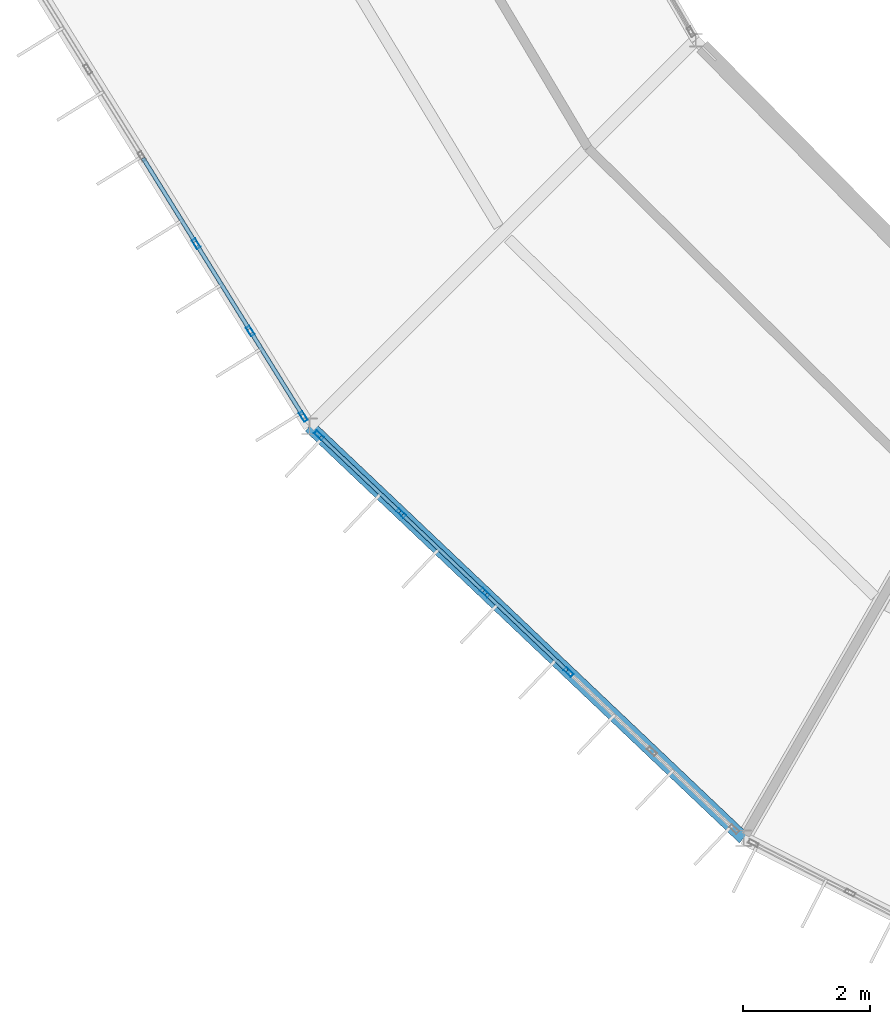
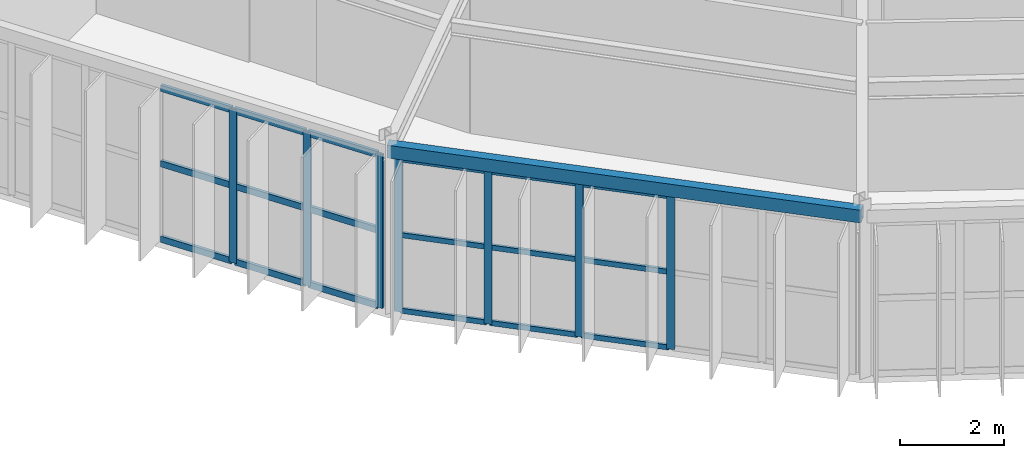
# One storey, part 33 of 157: 25 members, 1 beam, 2 elements without a shape of their own.
"""IFC4 building model written with IfcOpenShell, lengths in metres."""

from ifc_helpers import new_model, si_unit, direction, frame, origin, origin_2d, place, context, subcontext, project, spatial, hollow_rectangle, extrude, material, material_profile, profile_set, type_object, element, aggregate, save


model = new_model("IFC4")

# Units and contexts
model_context = context("Model", 3, precision=1e-05, world=origin(), true_north=direction((0.0, 1.0)))
body_context = subcontext(model_context, "Body", "Model", "MODEL_VIEW")
ifc_project = project(units=[si_unit("LENGTHUNIT", "METRE"), si_unit("AREAUNIT", "SQUARE_METRE"), si_unit("VOLUMEUNIT", "CUBIC_METRE"), si_unit("PLANEANGLEUNIT", "RADIAN"), si_unit("MASSUNIT", "GRAM", prefix="KILO")], contexts=[model_context])

# Site, building, storey
site_placement = place(None, origin())
site = spatial("IfcSite", under=ifc_project, at=site_placement, CompositionType="ELEMENT")
building_placement = place(site_placement, origin())
building = spatial("IfcBuilding", under=site, at=building_placement, Name="Karori Crest Natural Sciences Institute", CompositionType="ELEMENT")
storey_placement = place(building_placement, frame((0.0, 0.0, 13.300048828125)))
storey = spatial("IfcBuildingStorey", under=building, at=storey_placement, Name="L03", CompositionType="ELEMENT", Elevation=13.300048828125)

# Beam
ifc_material_1 = material(Name="Hollow structural steel AS/NZS 1163 Grade C350", Category="steel")
ifc_material_profile_1 = material_profile(ifc_material_1, hollow_rectangle(XDim=0.199951171875, YDim=0.300048828125, WallThickness=0.010009765625, at=origin_2d()), Name="RHS300x200x10")
ifc_profile_set_1 = profile_set([ifc_material_profile_1], Name="Hollow structural steel AS/NZS 1163 Grade C350")
beam_type = type_object("IfcBeamType", Name="BT-15", PredefinedType="SPANDREL", material=ifc_profile_set_1)
beam_placement = place(storey_placement, frame((43.0654296875, 21.050048828125, 3.7900390625), z_axis=(0.72546900706, -0.688254836376, 0.0), x_axis=(0.688254836376, 0.72546900706, 0.0)))
element("IfcBeam", 1, at=beam_placement, inside=storey, type_object=beam_type, Name="Beam B-0416", PredefinedType="SPANDREL", context=body_context, shape_type="SweptSolid", body=[
    extrude(hollow_rectangle(XDim=0.199951171875, YDim=0.300048828125, WallThickness=0.010009765625, at=origin_2d()), origin(), (0.0, 0.0, 1.0), 9.420654296875),
])

# Curtain wall, members
ifc_material_2 = material(Name="Anodised architectural aluminium 6063-T6", Category="aluminium")
curtain_wall_type_1 = type_object("IfcCurtainWallType", Name="CWT-05", PredefinedType="NOTDEFINED", material=ifc_material_2)
curtain_wall_1_placement = place(storey_placement, origin())
curtain_wall_1 = element("IfcCurtainWall", 2, at=curtain_wall_1_placement, inside=storey, type_object=curtain_wall_type_1, Name="Curtain wall CW-0121", PredefinedType="NOTDEFINED")
ifc_material_profile_2 = material_profile(ifc_material_2, hollow_rectangle(XDim=0.06494140625, YDim=0.159912109375, WallThickness=0.00390625, at=origin_2d()), Name="CWM160x65x4")
ifc_profile_set_2 = profile_set([ifc_material_profile_2], Name="Anodised architectural aluminium 6063-T6")
member_type_1 = type_object("IfcMemberType", Name="CWM-01", PredefinedType="MULLION", material=ifc_profile_set_2)
member_1_placement = place(storey_placement, frame((42.96875, 21.205810546875, 0.0), z_axis=(0.0, 0.0, 1.0), x_axis=(-0.849661985715, -0.527327706489, 0.0)))
member_1 = element("IfcMember", 3, at=member_1_placement, type_object=member_type_1, Name="CW-0121 mullion 1", PredefinedType="MULLION", context=body_context, shape_type="SweptSolid", body=[
    extrude(hollow_rectangle(XDim=0.06494140625, YDim=0.159912109375, WallThickness=0.00390625, at=origin_2d()), origin(), (0.0, 0.0, 1.0), 3.625),
])
member_2_placement = place(storey_placement, frame((42.13330078125, 22.552001953125, 0.0), z_axis=(0.0, 0.0, 1.0), x_axis=(-0.849661985715, -0.527327706489, 0.0)))
member_2 = element("IfcMember", 4, at=member_2_placement, type_object=member_type_1, Name="CW-0121 mullion 2", PredefinedType="MULLION", context=body_context, shape_type="SweptSolid", body=[
    extrude(hollow_rectangle(XDim=0.06494140625, YDim=0.159912109375, WallThickness=0.00390625, at=origin_2d()), origin(), (0.0, 0.0, 1.0), 3.625),
])
member_3_placement = place(storey_placement, frame((41.28076171875, 23.92578125, 0.0), z_axis=(0.0, 0.0, 1.0), x_axis=(-0.849661985715, -0.527327706489, 0.0)))
member_3 = element("IfcMember", 5, at=member_3_placement, type_object=member_type_1, Name="CW-0121 mullion 3", PredefinedType="MULLION", context=body_context, shape_type="SweptSolid", body=[
    extrude(hollow_rectangle(XDim=0.06494140625, YDim=0.159912109375, WallThickness=0.00390625, at=origin_2d()), origin(), (0.0, 0.0, 1.0), 3.625),
])

curtain_wall_type_2 = type_object("IfcCurtainWallType", Name="CWT-06", PredefinedType="NOTDEFINED", material=ifc_material_2)
curtain_wall_2_placement = place(storey_placement, origin())
curtain_wall_2 = element("IfcCurtainWall", 6, at=curtain_wall_2_placement, inside=storey, type_object=curtain_wall_type_2, Name="Curtain wall CW-0123", PredefinedType="NOTDEFINED")
member_4_placement = place(storey_placement, frame((47.141357421875, 17.18310546875, 0.0), z_axis=(0.0, 0.0, 1.0), x_axis=(-0.688252251648, -0.725471459192, 0.0)))
member_4 = element("IfcMember", 7, at=member_4_placement, type_object=member_type_1, Name="CW-0123 mullion 3", PredefinedType="MULLION", context=body_context, shape_type="SweptSolid", body=[
    extrude(hollow_rectangle(XDim=0.06494140625, YDim=0.159912109375, WallThickness=0.00390625, at=origin_2d()), origin(), (0.0, 0.0, 1.0), 3.625),
])
member_5_placement = place(storey_placement, frame((45.824951171875, 18.43212890625, 0.0), z_axis=(0.0, 0.0, 1.0), x_axis=(-0.688252251648, -0.725471459192, 0.0)))
member_5 = element("IfcMember", 8, at=member_5_placement, type_object=member_type_1, Name="CW-0123 mullion 4", PredefinedType="MULLION", context=body_context, shape_type="SweptSolid", body=[
    extrude(hollow_rectangle(XDim=0.06494140625, YDim=0.159912109375, WallThickness=0.00390625, at=origin_2d()), origin(), (0.0, 0.0, 1.0), 3.625),
])
member_6_placement = place(storey_placement, frame((44.508544921875, 19.68115234375, 0.0), z_axis=(0.0, 0.0, 1.0), x_axis=(-0.688252251648, -0.725471459192, 0.0)))
member_6 = element("IfcMember", 9, at=member_6_placement, type_object=member_type_1, Name="CW-0123 mullion 5", PredefinedType="MULLION", context=body_context, shape_type="SweptSolid", body=[
    extrude(hollow_rectangle(XDim=0.06494140625, YDim=0.159912109375, WallThickness=0.00390625, at=origin_2d()), origin(), (0.0, 0.0, 1.0), 3.625),
])
member_7_placement = place(storey_placement, frame((43.215576171875, 20.90771484375, 0.0), z_axis=(0.0, 0.0, 1.0), x_axis=(-0.688252251648, -0.725471459192, 0.0)))
member_7 = element("IfcMember", 10, at=member_7_placement, type_object=member_type_1, Name="CW-0123 mullion 6", PredefinedType="MULLION", context=body_context, shape_type="SweptSolid", body=[
    extrude(hollow_rectangle(XDim=0.06494140625, YDim=0.159912109375, WallThickness=0.00390625, at=origin_2d()), origin(), (0.0, 0.0, 1.0), 3.625),
])
ifc_material_profile_3 = material_profile(ifc_material_2, hollow_rectangle(XDim=0.06005859375, YDim=0.1201171875, WallThickness=0.00390625, at=origin_2d()), Name="CWT120x60x4")
ifc_profile_set_3 = profile_set([ifc_material_profile_3], Name="Anodised architectural aluminium 6063-T6")
member_type_2 = type_object("IfcMemberType", Name="CWT-TR1", PredefinedType="USERDEFINED", material=ifc_profile_set_3)
member_8_placement = place(storey_placement, frame((47.117919921875, 17.20556640625, 0.030029296875), z_axis=(-0.725490496247, 0.688232184553, 0.0), x_axis=(-0.688232184553, -0.725490496247, 0.0)))
member_8 = element("IfcMember", 11, at=member_8_placement, type_object=member_type_2, Name="CW-0123 transom 3.1", ObjectType="TRANSOM", PredefinedType="USERDEFINED", context=body_context, shape_type="SweptSolid", body=[
    extrude(hollow_rectangle(XDim=0.06005859375, YDim=0.1201171875, WallThickness=0.00390625, at=origin_2d()), origin(), (0.0, 0.0, 1.0), 1.74951171875),
])
member_9_placement = place(storey_placement, frame((47.117919921875, 17.20556640625, 1.8125), z_axis=(-0.725490496247, 0.688232184553, 0.0), x_axis=(-0.688232184553, -0.725490496247, 0.0)))
member_9 = element("IfcMember", 12, at=member_9_placement, type_object=member_type_2, Name="CW-0123 transom 3.2", ObjectType="TRANSOM", PredefinedType="USERDEFINED", context=body_context, shape_type="SweptSolid", body=[
    extrude(hollow_rectangle(XDim=0.06005859375, YDim=0.1201171875, WallThickness=0.00390625, at=origin_2d()), origin(), (0.0, 0.0, 1.0), 1.74951171875),
])
member_10_placement = place(storey_placement, frame((47.117919921875, 17.20556640625, 3.594970703125), z_axis=(-0.725490496247, 0.688232184553, 0.0), x_axis=(-0.688232184553, -0.725490496247, 0.0)))
member_10 = element("IfcMember", 13, at=member_10_placement, type_object=member_type_2, Name="CW-0123 transom 3.3", ObjectType="TRANSOM", PredefinedType="USERDEFINED", context=body_context, shape_type="SweptSolid", body=[
    extrude(hollow_rectangle(XDim=0.06005859375, YDim=0.1201171875, WallThickness=0.00390625, at=origin_2d()), origin(), (0.0, 0.0, 1.0), 1.74951171875),
])
member_11_placement = place(storey_placement, frame((45.80126953125, 18.45458984375, 0.030029296875), z_axis=(-0.725490496247, 0.688232184553, 0.0), x_axis=(-0.688232184553, -0.725490496247, 0.0)))
member_11 = element("IfcMember", 14, at=member_11_placement, type_object=member_type_2, Name="CW-0123 transom 4.1", ObjectType="TRANSOM", PredefinedType="USERDEFINED", context=body_context, shape_type="SweptSolid", body=[
    extrude(hollow_rectangle(XDim=0.06005859375, YDim=0.1201171875, WallThickness=0.00390625, at=origin_2d()), origin(), (0.0, 0.0, 1.0), 1.74951171875),
])
member_12_placement = place(storey_placement, frame((45.80126953125, 18.45458984375, 1.8125), z_axis=(-0.725490496247, 0.688232184553, 0.0), x_axis=(-0.688232184553, -0.725490496247, 0.0)))
member_12 = element("IfcMember", 15, at=member_12_placement, type_object=member_type_2, Name="CW-0123 transom 4.2", ObjectType="TRANSOM", PredefinedType="USERDEFINED", context=body_context, shape_type="SweptSolid", body=[
    extrude(hollow_rectangle(XDim=0.06005859375, YDim=0.1201171875, WallThickness=0.00390625, at=origin_2d()), origin(), (0.0, 0.0, 1.0), 1.74951171875),
])
member_13_placement = place(storey_placement, frame((45.80126953125, 18.45458984375, 3.594970703125), z_axis=(-0.725490496247, 0.688232184553, 0.0), x_axis=(-0.688232184553, -0.725490496247, 0.0)))
member_13 = element("IfcMember", 16, at=member_13_placement, type_object=member_type_2, Name="CW-0123 transom 4.3", ObjectType="TRANSOM", PredefinedType="USERDEFINED", context=body_context, shape_type="SweptSolid", body=[
    extrude(hollow_rectangle(XDim=0.06005859375, YDim=0.1201171875, WallThickness=0.00390625, at=origin_2d()), origin(), (0.0, 0.0, 1.0), 1.74951171875),
])
member_14_placement = place(storey_placement, frame((44.48486328125, 19.703369140625, 0.030029296875), z_axis=(-0.725418188491, 0.688308398762, 0.0), x_axis=(-0.688308398762, -0.725418188491, 0.0)))
member_14 = element("IfcMember", 17, at=member_14_placement, type_object=member_type_2, Name="CW-0123 transom 5.1", ObjectType="TRANSOM", PredefinedType="USERDEFINED", context=body_context, shape_type="SweptSolid", body=[
    extrude(hollow_rectangle(XDim=0.06005859375, YDim=0.1201171875, WallThickness=0.00390625, at=origin_2d()), origin(), (0.0, 0.0, 1.0), 1.717041015625),
])
member_15_placement = place(storey_placement, frame((44.48486328125, 19.703369140625, 1.8125), z_axis=(-0.725418188491, 0.688308398762, 0.0), x_axis=(-0.688308398762, -0.725418188491, 0.0)))
member_15 = element("IfcMember", 18, at=member_15_placement, type_object=member_type_2, Name="CW-0123 transom 5.2", ObjectType="TRANSOM", PredefinedType="USERDEFINED", context=body_context, shape_type="SweptSolid", body=[
    extrude(hollow_rectangle(XDim=0.06005859375, YDim=0.1201171875, WallThickness=0.00390625, at=origin_2d()), origin(), (0.0, 0.0, 1.0), 1.717041015625),
])
member_16_placement = place(storey_placement, frame((44.48486328125, 19.703369140625, 3.594970703125), z_axis=(-0.725418188491, 0.688308398762, 0.0), x_axis=(-0.688308398762, -0.725418188491, 0.0)))
member_16 = element("IfcMember", 19, at=member_16_placement, type_object=member_type_2, Name="CW-0123 transom 5.3", ObjectType="TRANSOM", PredefinedType="USERDEFINED", context=body_context, shape_type="SweptSolid", body=[
    extrude(hollow_rectangle(XDim=0.06005859375, YDim=0.1201171875, WallThickness=0.00390625, at=origin_2d()), origin(), (0.0, 0.0, 1.0), 1.717041015625),
])
aggregate(curtain_wall_2, [member_4, member_5, member_6, member_7, member_8, member_9, member_10, member_11, member_12, member_13, member_14, member_15, member_16])

# Member
ifc_material_profile_4 = material_profile(ifc_material_2, hollow_rectangle(XDim=0.06494140625, YDim=0.14990234375, WallThickness=0.00390625, at=origin_2d()), Name="CWT150x65x4")
ifc_profile_set_4 = profile_set([ifc_material_profile_4], Name="Anodised architectural aluminium 6063-T6")
member_type_3 = type_object("IfcMemberType", Name="CWT-TR2", PredefinedType="USERDEFINED", material=ifc_profile_set_4)
member_17_placement = place(storey_placement, frame((42.95166015625, 21.233642578125, 0.032470703125), z_axis=(-0.527410863432, 0.84961037019, 0.0), x_axis=(-0.84961037019, -0.527410863432, 0.0)))
member_17 = element("IfcMember", 20, at=member_17_placement, type_object=member_type_3, Name="CW-0121 transom 1.1", ObjectType="TRANSOM", PredefinedType="USERDEFINED", context=body_context, shape_type="SweptSolid", body=[
    extrude(hollow_rectangle(XDim=0.06494140625, YDim=0.14990234375, WallThickness=0.00390625, at=origin_2d()), origin(), (0.0, 0.0, 1.0), 1.519287109375),
])

member_18_placement = place(storey_placement, frame((42.95166015625, 21.233642578125, 1.8125), z_axis=(-0.527410863432, 0.84961037019, 0.0), x_axis=(-0.84961037019, -0.527410863432, 0.0)))
member_18 = element("IfcMember", 21, at=member_18_placement, type_object=member_type_3, Name="CW-0121 transom 1.2", ObjectType="TRANSOM", PredefinedType="USERDEFINED", context=body_context, shape_type="SweptSolid", body=[
    extrude(hollow_rectangle(XDim=0.06494140625, YDim=0.14990234375, WallThickness=0.00390625, at=origin_2d()), origin(), (0.0, 0.0, 1.0), 1.519287109375),
])

member_19_placement = place(storey_placement, frame((42.95166015625, 21.233642578125, 3.592529296875), z_axis=(-0.527410863432, 0.84961037019, 0.0), x_axis=(-0.84961037019, -0.527410863432, 0.0)))
member_19 = element("IfcMember", 22, at=member_19_placement, type_object=member_type_3, Name="CW-0121 transom 1.3", ObjectType="TRANSOM", PredefinedType="USERDEFINED", context=body_context, shape_type="SweptSolid", body=[
    extrude(hollow_rectangle(XDim=0.06494140625, YDim=0.14990234375, WallThickness=0.00390625, at=origin_2d()), origin(), (0.0, 0.0, 1.0), 1.519287109375),
])

member_20_placement = place(storey_placement, frame((42.1162109375, 22.57958984375, 0.032470703125), z_axis=(-0.527323700977, 0.849664471652, 0.0), x_axis=(-0.849664471652, -0.527323700977, 0.0)))
member_20 = element("IfcMember", 23, at=member_20_placement, type_object=member_type_3, Name="CW-0121 transom 2.1", ObjectType="TRANSOM", PredefinedType="USERDEFINED", context=body_context, shape_type="SweptSolid", body=[
    extrude(hollow_rectangle(XDim=0.06494140625, YDim=0.14990234375, WallThickness=0.00390625, at=origin_2d()), origin(), (0.0, 0.0, 1.0), 1.552001953125),
])

member_21_placement = place(storey_placement, frame((42.1162109375, 22.57958984375, 1.8125), z_axis=(-0.527323700977, 0.849664471652, 0.0), x_axis=(-0.849664471652, -0.527323700977, 0.0)))
member_21 = element("IfcMember", 24, at=member_21_placement, type_object=member_type_3, Name="CW-0121 transom 2.2", ObjectType="TRANSOM", PredefinedType="USERDEFINED", context=body_context, shape_type="SweptSolid", body=[
    extrude(hollow_rectangle(XDim=0.06494140625, YDim=0.14990234375, WallThickness=0.00390625, at=origin_2d()), origin(), (0.0, 0.0, 1.0), 1.552001953125),
])

member_22_placement = place(storey_placement, frame((42.1162109375, 22.57958984375, 3.592529296875), z_axis=(-0.527323700977, 0.849664471652, 0.0), x_axis=(-0.849664471652, -0.527323700977, 0.0)))
member_22 = element("IfcMember", 25, at=member_22_placement, type_object=member_type_3, Name="CW-0121 transom 2.3", ObjectType="TRANSOM", PredefinedType="USERDEFINED", context=body_context, shape_type="SweptSolid", body=[
    extrude(hollow_rectangle(XDim=0.06494140625, YDim=0.14990234375, WallThickness=0.00390625, at=origin_2d()), origin(), (0.0, 0.0, 1.0), 1.552001953125),
])

member_23_placement = place(storey_placement, frame((41.263671875, 23.953369140625, 0.032470703125), z_axis=(-0.527323700977, 0.849664471652, 0.0), x_axis=(-0.849664471652, -0.527323700977, 0.0)))
member_23 = element("IfcMember", 26, at=member_23_placement, type_object=member_type_3, Name="CW-0121 transom 3.1", ObjectType="TRANSOM", PredefinedType="USERDEFINED", context=body_context, shape_type="SweptSolid", body=[
    extrude(hollow_rectangle(XDim=0.06494140625, YDim=0.14990234375, WallThickness=0.00390625, at=origin_2d()), origin(), (0.0, 0.0, 1.0), 1.552001953125),
])

member_24_placement = place(storey_placement, frame((41.263671875, 23.953369140625, 1.8125), z_axis=(-0.527323700977, 0.849664471652, 0.0), x_axis=(-0.849664471652, -0.527323700977, 0.0)))
member_24 = element("IfcMember", 27, at=member_24_placement, type_object=member_type_3, Name="CW-0121 transom 3.2", ObjectType="TRANSOM", PredefinedType="USERDEFINED", context=body_context, shape_type="SweptSolid", body=[
    extrude(hollow_rectangle(XDim=0.06494140625, YDim=0.14990234375, WallThickness=0.00390625, at=origin_2d()), origin(), (0.0, 0.0, 1.0), 1.552001953125),
])

member_25_placement = place(storey_placement, frame((41.263671875, 23.953369140625, 3.592529296875), z_axis=(-0.527323700977, 0.849664471652, 0.0), x_axis=(-0.849664471652, -0.527323700977, 0.0)))
member_25 = element("IfcMember", 28, at=member_25_placement, type_object=member_type_3, Name="CW-0121 transom 3.3", ObjectType="TRANSOM", PredefinedType="USERDEFINED", context=body_context, shape_type="SweptSolid", body=[
    extrude(hollow_rectangle(XDim=0.06494140625, YDim=0.14990234375, WallThickness=0.00390625, at=origin_2d()), origin(), (0.0, 0.0, 1.0), 1.552001953125),
])

aggregate(curtain_wall_1, [member_1, member_2, member_3, member_17, member_18, member_19, member_20, member_21, member_22, member_23, member_24, member_25])

save(model, "model.ifc")
